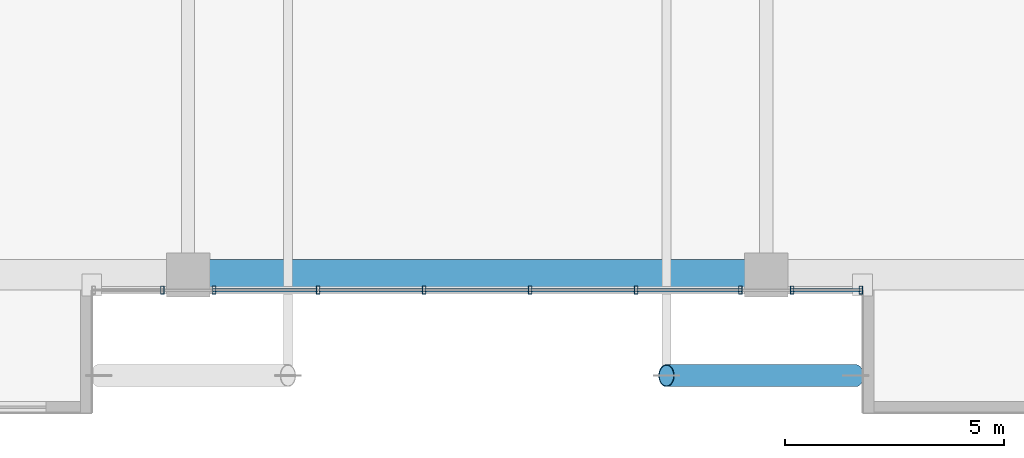
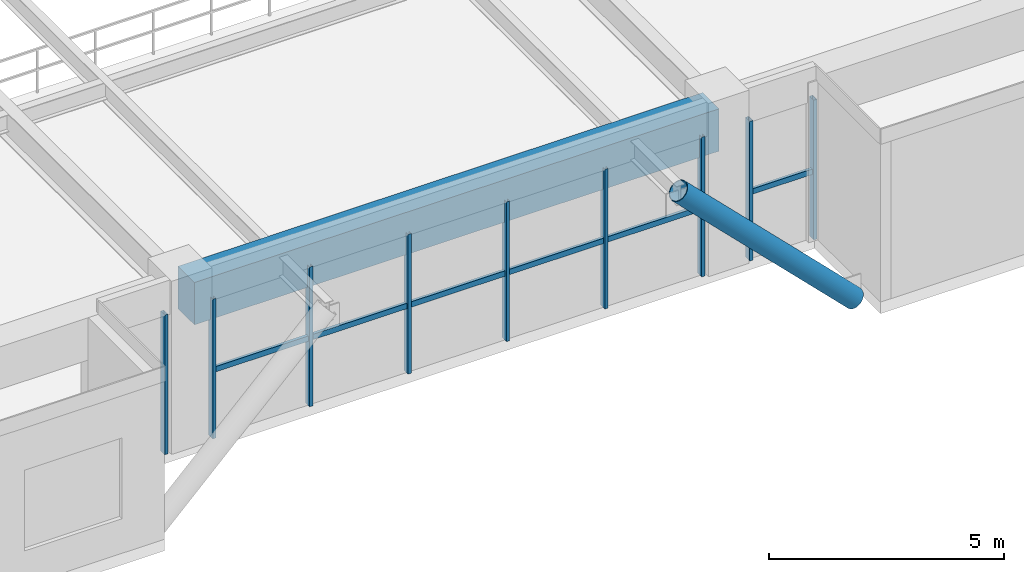
# One storey, part 4 of 21: 16 members, 1 beam, 3 elements without a shape of their own.
"""IFC4 building model written with IfcOpenShell, lengths in metres."""

from ifc_helpers import new_model, si_unit, direction, frame, origin, origin_2d, place, context, subcontext, project, spatial, rectangle, hollow_rectangle, hollow_circle, extrude, source, transform, mapped, material, material_profile, profile_set, type_object, element, aggregate, save


model = new_model("IFC4")

# Units and contexts
model_context = context("Model", 3, precision=1e-05, world=origin(), true_north=direction((0.0, 1.0)))
body_context = subcontext(model_context, "Body", "Model", "MODEL_VIEW")
ifc_project = project(units=[si_unit("LENGTHUNIT", "METRE"), si_unit("AREAUNIT", "SQUARE_METRE"), si_unit("VOLUMEUNIT", "CUBIC_METRE"), si_unit("PLANEANGLEUNIT", "RADIAN"), si_unit("MASSUNIT", "GRAM", prefix="KILO")], contexts=[model_context])

# Site, building, storey
site_placement = place(None, origin())
site = spatial("IfcSite", under=ifc_project, at=site_placement, CompositionType="ELEMENT")
building_placement = place(site_placement, origin())
building = spatial("IfcBuilding", under=site, at=building_placement, Name="Trelvane Seafront Commons", CompositionType="ELEMENT")
storey_placement = place(building_placement, frame((0.0, 0.0, 14.199951171875)))
storey = spatial("IfcBuildingStorey", under=building, at=storey_placement, Name="L03", CompositionType="ELEMENT", Elevation=14.199951171875)

# Beam
ifc_material_1 = material(Name="Concrete C50/60", Category="concrete")
ifc_material_profile_1 = material_profile(ifc_material_1, rectangle(XDim=0.699951171875, YDim=1.10009765625, at=origin_2d()), Name="RC-700x1100")
ifc_profile_set_1 = profile_set([ifc_material_profile_1], Name="Concrete C50/60")
beam_type = type_object("IfcBeamType", Name="STR-TBM-RC700x1100", PredefinedType="T_BEAM", material=ifc_profile_set_1)
shared_shape_1 = source(origin(), body_context, "Body", "SweptSolid", [
    extrude(rectangle(XDim=0.699951171875, YDim=1.10009765625, at=origin_2d()), origin(), (0.0, 0.0, 1.0), 12.89990234375),
])
beam_placement = place(storey_placement, frame((30.75, 3.949951171875, 3.60009765625), z_axis=(1.0, 0.0, 0.0), x_axis=(0.0, 1.0, 0.0)))
element("IfcBeam", 1, at=beam_placement, inside=storey, type_object=beam_type, Name="L03 Primary Girder G-04", PredefinedType="T_BEAM", context=body_context, shape_type="MappedRepresentation", body=[
    mapped(shared_shape_1, transform((0.0, 0.0, 0.0), x_axis=(1.0, 0.0, 0.0), y_axis=(0.0, 1.0, 0.0), z_axis=(0.0, 0.0, 1.0), scale=1.0)),
])

# Member
ifc_material_2 = material(Name="Steel SM355 (S355)", Category="steel")
ifc_material_profile_2 = material_profile(ifc_material_2, hollow_circle(Radius=0.25390625, WallThickness=0.02001953125, at=origin_2d()), Name="CHS-508x20")
ifc_profile_set_2 = profile_set([ifc_material_profile_2], Name="Steel SM355 (S355)")
member_type_1 = type_object("IfcMemberType", Name="STR-STR-CHS508", PredefinedType="STRUT", material=ifc_profile_set_2)
shared_shape_2 = source(origin(), body_context, "Body", "SweptSolid", [
    extrude(hollow_circle(Radius=0.25390625, WallThickness=0.02001953125, at=origin_2d()), origin(), (0.0, 0.0, 1.0), 6.09521484375),
])
member_1_placement = place(storey_placement, frame((45.840087890625, 1.64990234375, -0.349853515625), z_axis=(-0.708767095477, 0.0, 0.705442559228), x_axis=(0.0, -1.0, 0.0)))
element("IfcMember", 2, at=member_1_placement, inside=storey, type_object=member_type_1, Name="L03 Base Inverted-V Portal Mega-Strut VP-E", PredefinedType="STRUT", context=body_context, shape_type="MappedRepresentation", body=[
    mapped(shared_shape_2, transform((0.0, 0.0, 0.0), x_axis=(1.0, 0.0, 0.0), y_axis=(0.0, 1.0, 0.0), z_axis=(0.0, 0.0, 1.0), scale=1.0)),
])

# Curtain wall, members
ifc_material_3 = material(Name="Anodised pale-silver aluminium", Category="aluminium")
curtain_wall_type = type_object("IfcCurtainWallType", Name="ARCH-CW1-PODIUM", PredefinedType="NOTDEFINED", material=ifc_material_3)
curtain_wall_1_placement = place(storey_placement, origin())
curtain_wall_1 = element("IfcCurtainWall", 3, at=curtain_wall_1_placement, inside=storey, type_object=curtain_wall_type, Name="CW-L03-VP-0022", PredefinedType="NOTDEFINED")
ifc_material_profile_3 = material_profile(ifc_material_3, hollow_rectangle(XDim=0.080078125, YDim=0.179931640625, WallThickness=0.00439453125, at=origin_2d()), Name="MULL-80x180x4.5")
ifc_profile_set_3 = profile_set([ifc_material_profile_3], Name="Anodised pale-silver aluminium")
member_type_2 = type_object("IfcMemberType", Name="ARCH-CW-MULL-180", PredefinedType="MULLION", material=ifc_profile_set_3)
shared_shape_3 = source(origin(), body_context, "Body", "SweptSolid", [
    extrude(hollow_rectangle(XDim=0.080078125, YDim=0.179931640625, WallThickness=0.00439453125, at=origin_2d()), origin(), (0.0, 0.0, 1.0), 3.630126953125),
])
member_2_placement = place(storey_placement, frame((45.9599609375, 3.60009765625, 0.0), z_axis=(0.0, 0.0, 1.0), x_axis=(1.0, 0.0, 0.0)))
member_2 = element("IfcMember", 4, at=member_2_placement, type_object=member_type_2, Name="CW-L03-VP-0022-M00", PredefinedType="MULLION", context=body_context, shape_type="MappedRepresentation", body=[
    mapped(shared_shape_3, transform((0.0, 0.0, 0.0), x_axis=(1.0, 0.0, 0.0), y_axis=(0.0, 1.0, 0.0), z_axis=(0.0, 0.0, 1.0), scale=1.0)),
])
member_3_placement = place(storey_placement, frame((44.389892578125, 3.60009765625, 0.0), z_axis=(0.0, 0.0, 1.0), x_axis=(1.0, 0.0, 0.0)))
member_3 = element("IfcMember", 5, at=member_3_placement, type_object=member_type_2, Name="CW-L03-VP-0022-M01", PredefinedType="MULLION", context=body_context, shape_type="MappedRepresentation", body=[
    mapped(shared_shape_3, transform((0.0, 0.0, 0.0), x_axis=(1.0, 0.0, 0.0), y_axis=(0.0, 1.0, 0.0), z_axis=(0.0, 0.0, 1.0), scale=1.0)),
])

curtain_wall_2_placement = place(storey_placement, origin())
curtain_wall_2 = element("IfcCurtainWall", 6, at=curtain_wall_2_placement, inside=storey, type_object=curtain_wall_type, Name="CW-L03-VP-0023", PredefinedType="NOTDEFINED")
member_4_placement = place(storey_placement, frame((43.2099609375, 3.60009765625, 0.0), z_axis=(0.0, 0.0, 1.0), x_axis=(1.0, 0.0, 0.0)))
member_4 = element("IfcMember", 7, at=member_4_placement, type_object=member_type_2, Name="CW-L03-VP-0023-M00", PredefinedType="MULLION", context=body_context, shape_type="MappedRepresentation", body=[
    mapped(shared_shape_3, transform((0.0, 0.0, 0.0), x_axis=(1.0, 0.0, 0.0), y_axis=(0.0, 1.0, 0.0), z_axis=(0.0, 0.0, 1.0), scale=1.0)),
])
member_5_placement = place(storey_placement, frame((40.830078125, 3.60009765625, 0.0), z_axis=(0.0, 0.0, 1.0), x_axis=(1.0, 0.0, 0.0)))
member_5 = element("IfcMember", 8, at=member_5_placement, type_object=member_type_2, Name="CW-L03-VP-0023-M01", PredefinedType="MULLION", context=body_context, shape_type="MappedRepresentation", body=[
    mapped(shared_shape_3, transform((0.0, 0.0, 0.0), x_axis=(1.0, 0.0, 0.0), y_axis=(0.0, 1.0, 0.0), z_axis=(0.0, 0.0, 1.0), scale=1.0)),
])
member_6_placement = place(storey_placement, frame((38.409912109375, 3.60009765625, 0.0), z_axis=(0.0, 0.0, 1.0), x_axis=(1.0, 0.0, 0.0)))
member_6 = element("IfcMember", 9, at=member_6_placement, type_object=member_type_2, Name="CW-L03-VP-0023-M02", PredefinedType="MULLION", context=body_context, shape_type="MappedRepresentation", body=[
    mapped(shared_shape_3, transform((0.0, 0.0, 0.0), x_axis=(1.0, 0.0, 0.0), y_axis=(0.0, 1.0, 0.0), z_axis=(0.0, 0.0, 1.0), scale=1.0)),
])
member_7_placement = place(storey_placement, frame((35.989990234375, 3.60009765625, 0.0), z_axis=(0.0, 0.0, 1.0), x_axis=(1.0, 0.0, 0.0)))
member_7 = element("IfcMember", 10, at=member_7_placement, type_object=member_type_2, Name="CW-L03-VP-0023-M03", PredefinedType="MULLION", context=body_context, shape_type="MappedRepresentation", body=[
    mapped(shared_shape_3, transform((0.0, 0.0, 0.0), x_axis=(1.0, 0.0, 0.0), y_axis=(0.0, 1.0, 0.0), z_axis=(0.0, 0.0, 1.0), scale=1.0)),
])
member_8_placement = place(storey_placement, frame((33.570068359375, 3.60009765625, 0.0), z_axis=(0.0, 0.0, 1.0), x_axis=(1.0, 0.0, 0.0)))
member_8 = element("IfcMember", 11, at=member_8_placement, type_object=member_type_2, Name="CW-L03-VP-0023-M04", PredefinedType="MULLION", context=body_context, shape_type="MappedRepresentation", body=[
    mapped(shared_shape_3, transform((0.0, 0.0, 0.0), x_axis=(1.0, 0.0, 0.0), y_axis=(0.0, 1.0, 0.0), z_axis=(0.0, 0.0, 1.0), scale=1.0)),
])
member_9_placement = place(storey_placement, frame((31.18994140625, 3.60009765625, 0.0), z_axis=(0.0, 0.0, 1.0), x_axis=(1.0, 0.0, 0.0)))
member_9 = element("IfcMember", 12, at=member_9_placement, type_object=member_type_2, Name="CW-L03-VP-0023-M05", PredefinedType="MULLION", context=body_context, shape_type="MappedRepresentation", body=[
    mapped(shared_shape_3, transform((0.0, 0.0, 0.0), x_axis=(1.0, 0.0, 0.0), y_axis=(0.0, 1.0, 0.0), z_axis=(0.0, 0.0, 1.0), scale=1.0)),
])

# Curtain wall, member
curtain_wall_3_placement = place(storey_placement, origin())
curtain_wall_3 = element("IfcCurtainWall", 13, at=curtain_wall_3_placement, inside=storey, type_object=curtain_wall_type, Name="CW-L03-VP-0024", PredefinedType="NOTDEFINED")
member_10_placement = place(storey_placement, frame((30.010009765625, 3.60009765625, 0.0), z_axis=(0.0, 0.0, 1.0), x_axis=(1.0, 0.0, 0.0)))
member_10 = element("IfcMember", 14, at=member_10_placement, type_object=member_type_2, Name="CW-L03-VP-0024-M00", PredefinedType="MULLION", context=body_context, shape_type="MappedRepresentation", body=[
    mapped(shared_shape_3, transform((0.0, 0.0, 0.0), x_axis=(1.0, 0.0, 0.0), y_axis=(0.0, 1.0, 0.0), z_axis=(0.0, 0.0, 1.0), scale=1.0)),
])
aggregate(curtain_wall_3, [member_10])

# Member
ifc_material_profile_4 = material_profile(ifc_material_3, hollow_rectangle(XDim=0.074951171875, YDim=0.139892578125, WallThickness=0.00390625, at=origin_2d()), Name="TRAN-75x140x4")
ifc_profile_set_4 = profile_set([ifc_material_profile_4], Name="Anodised pale-silver aluminium")
member_type_3 = type_object("IfcMemberType", Name="ARCH-CW-TRAN-140", PredefinedType="USERDEFINED", material=ifc_profile_set_4)
shared_shape_4 = source(origin(), body_context, "Body", "SweptSolid", [
    extrude(hollow_rectangle(XDim=0.074951171875, YDim=0.139892578125, WallThickness=0.00390625, at=origin_2d()), origin(), (0.0, 0.0, 1.0), 1.6259765625),
])
member_11_placement = place(storey_placement, frame((45.988037109375, 3.60009765625, 1.741943359375), z_axis=(-1.0, 0.0, 0.0), x_axis=(0.0, -1.0, 0.0)))
member_11 = element("IfcMember", 15, at=member_11_placement, type_object=member_type_3, Name="CW-L03-VP-0022-T00", ObjectType="TRANSOM", PredefinedType="USERDEFINED", context=body_context, shape_type="MappedRepresentation", body=[
    mapped(shared_shape_4, transform((0.0, 0.0, 0.0), x_axis=(1.0, 0.0, 0.0), y_axis=(0.0, 1.0, 0.0), z_axis=(0.0, 0.0, 1.0), scale=1.0)),
])

aggregate(curtain_wall_1, [member_2, member_3, member_11])

shared_shape_5 = source(origin(), body_context, "Body", "SweptSolid", [
    extrude(hollow_rectangle(XDim=0.074951171875, YDim=0.139892578125, WallThickness=0.00390625, at=origin_2d()), origin(), (0.0, 0.0, 1.0), 2.39599609375),
])
member_12_placement = place(storey_placement, frame((43.238037109375, 3.60009765625, 1.741943359375), z_axis=(-1.0, 0.0, 0.0), x_axis=(0.0, -1.0, 0.0)))
member_12 = element("IfcMember", 16, at=member_12_placement, type_object=member_type_3, Name="CW-L03-VP-0023-T00", ObjectType="TRANSOM", PredefinedType="USERDEFINED", context=body_context, shape_type="MappedRepresentation", body=[
    mapped(shared_shape_5, transform((0.0, 0.0, 0.0), x_axis=(1.0, 0.0, 0.0), y_axis=(0.0, 1.0, 0.0), z_axis=(0.0, 0.0, 1.0), scale=1.0)),
])

member_13_placement = place(storey_placement, frame((40.818115234375, 3.60009765625, 1.741943359375), z_axis=(-1.0, 0.0, 0.0), x_axis=(0.0, -1.0, 0.0)))
member_13 = element("IfcMember", 17, at=member_13_placement, type_object=member_type_3, Name="CW-L03-VP-0023-T01", ObjectType="TRANSOM", PredefinedType="USERDEFINED", context=body_context, shape_type="MappedRepresentation", body=[
    mapped(shared_shape_5, transform((0.0, 0.0, 0.0), x_axis=(1.0, 0.0, 0.0), y_axis=(0.0, 1.0, 0.0), z_axis=(0.0, 0.0, 1.0), scale=1.0)),
])

member_14_placement = place(storey_placement, frame((38.39794921875, 3.60009765625, 1.741943359375), z_axis=(-1.0, 0.0, 0.0), x_axis=(0.0, -1.0, 0.0)))
member_14 = element("IfcMember", 18, at=member_14_placement, type_object=member_type_3, Name="CW-L03-VP-0023-T02", ObjectType="TRANSOM", PredefinedType="USERDEFINED", context=body_context, shape_type="MappedRepresentation", body=[
    mapped(shared_shape_5, transform((0.0, 0.0, 0.0), x_axis=(1.0, 0.0, 0.0), y_axis=(0.0, 1.0, 0.0), z_axis=(0.0, 0.0, 1.0), scale=1.0)),
])

member_15_placement = place(storey_placement, frame((35.97802734375, 3.60009765625, 1.741943359375), z_axis=(-1.0, 0.0, 0.0), x_axis=(0.0, -1.0, 0.0)))
member_15 = element("IfcMember", 19, at=member_15_placement, type_object=member_type_3, Name="CW-L03-VP-0023-T03", ObjectType="TRANSOM", PredefinedType="USERDEFINED", context=body_context, shape_type="MappedRepresentation", body=[
    mapped(shared_shape_5, transform((0.0, 0.0, 0.0), x_axis=(1.0, 0.0, 0.0), y_axis=(0.0, 1.0, 0.0), z_axis=(0.0, 0.0, 1.0), scale=1.0)),
])

member_16_placement = place(storey_placement, frame((33.55810546875, 3.60009765625, 1.741943359375), z_axis=(-1.0, 0.0, 0.0), x_axis=(0.0, -1.0, 0.0)))
member_16 = element("IfcMember", 20, at=member_16_placement, type_object=member_type_3, Name="CW-L03-VP-0023-T04", ObjectType="TRANSOM", PredefinedType="USERDEFINED", context=body_context, shape_type="MappedRepresentation", body=[
    mapped(shared_shape_5, transform((0.0, 0.0, 0.0), x_axis=(1.0, 0.0, 0.0), y_axis=(0.0, 1.0, 0.0), z_axis=(0.0, 0.0, 1.0), scale=1.0)),
])

aggregate(curtain_wall_2, [member_4, member_5, member_6, member_7, member_8, member_9, member_12, member_13, member_14, member_15, member_16])

save(model, "model.ifc")
